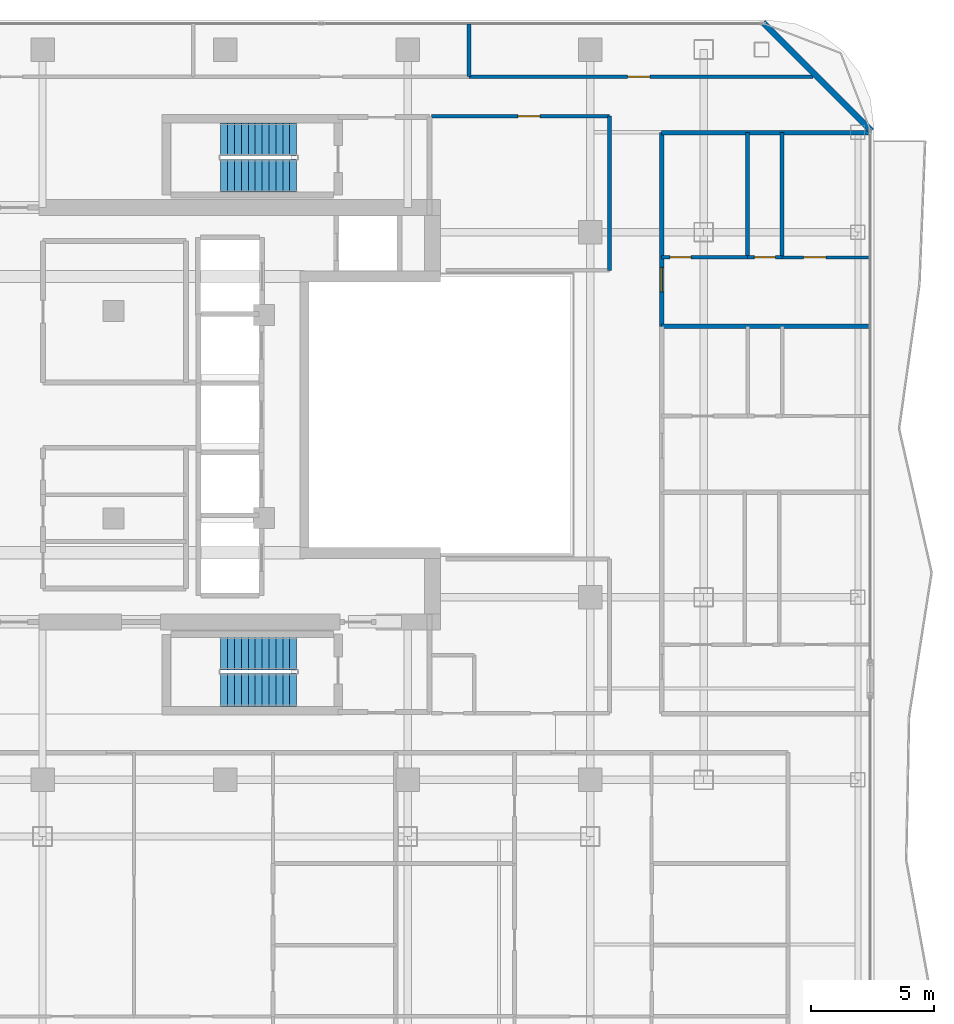
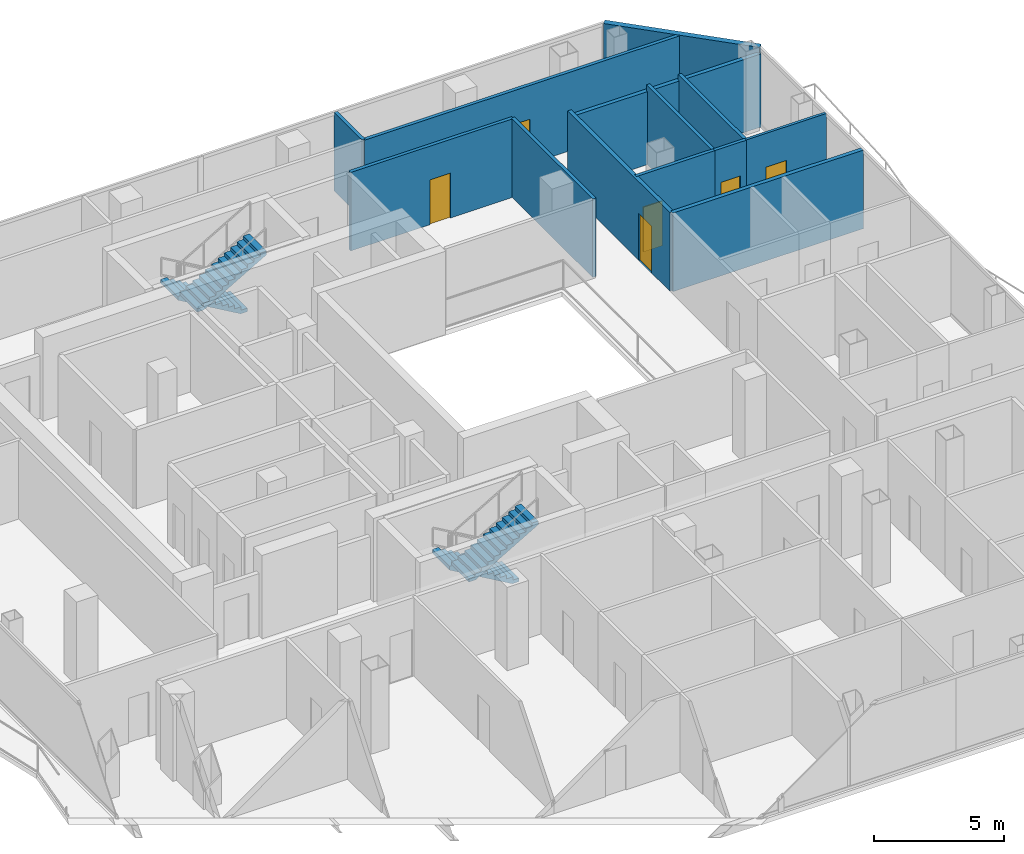
# One storey, part 24 of 27: 13 walls, 6 doors, 4 stair flights, 6 openings, 2 elements without a shape of their own.
"""IFC4 building model written with IfcOpenShell, lengths in metres."""

from ifc_helpers import new_model, si_unit, direction, frame, frame_2d, origin, place, context, subcontext, project, spatial, polyline, rectangle, outline, extrude, material, layer, layer_set, type_object, element, fill, aggregate, save


model = new_model("IFC4")

# Units and contexts
model_context = context("Model", 3, precision=1e-05, world=origin(), true_north=direction((0.0, 1.0)))
body_context = subcontext(model_context, "Body", "Model", "MODEL_VIEW")
ifc_project = project(units=[si_unit("LENGTHUNIT", "METRE"), si_unit("AREAUNIT", "SQUARE_METRE"), si_unit("VOLUMEUNIT", "CUBIC_METRE"), si_unit("PLANEANGLEUNIT", "RADIAN"), si_unit("MASSUNIT", "GRAM", prefix="KILO")], contexts=[model_context])

# Site, building, storey
site_placement = place(None, origin())
site = spatial("IfcSite", under=ifc_project, at=site_placement, CompositionType="ELEMENT")
building_placement = place(site_placement, origin())
building = spatial("IfcBuilding", under=site, at=building_placement, Name="Khorvyn Point Tower", CompositionType="ELEMENT")
storey_placement = place(building_placement, frame((0.0, 0.0, 243.0)))
storey = spatial("IfcBuildingStorey", under=building, at=storey_placement, Name="L59", CompositionType="ELEMENT", Elevation=243.0)

# Wall, opening, door
ifc_material_1 = material(Name="Double acoustic gypsum on twin steel stud", Category="steel")
ifc_layer_1 = layer(ifc_material_1, 0.179931640625)
ifc_layer_set_1 = layer_set([ifc_layer_1], Name="Acoustic Double-Stud Apartment Demising Wall 180")
wall_type_1 = type_object("IfcWallType", Name="Acoustic Double-Stud Apartment Demising Wall 180", PredefinedType="PARTITIONING", material=ifc_layer_set_1)
wall_1_placement = place(storey_placement, frame((17.699951171875, 3.580078125, 0.0), z_axis=(0.0, 0.0, 1.0), x_axis=(0.0, 1.0, 0.0)))
wall_1 = element("IfcWall", 1, at=wall_1_placement, inside=storey, type_object=wall_type_1, Name="Wall", PredefinedType="PARTITIONING", context=body_context, shape_type="SweptSolid", body=[
    extrude(rectangle(XDim=7.849853515625, YDim=0.179931640625, at=frame_2d((3.9248046875, 0.0))), origin(), (0.0, 0.0, 1.0), 3.679931640625),
])
opening_1_placement = place(wall_1_placement, frame((1.3955078125, 0.0, 0.0)))
opening_1 = element("IfcOpeningElement", 2, at=opening_1_placement, cuts=wall_1, Name="Opening ID-AP60", PredefinedType="OPENING", context=body_context, shape_type="SweptSolid", body=[
    extrude(rectangle(XDim=1.0, YDim=2.199951171875, at=frame_2d((0.5, 1.10009765625))), frame((0.0, 0.099853515625, 0.0), z_axis=(0.0, -1.0, 0.0), x_axis=(1.0, 0.0, 0.0)), (0.0, 0.0, 1.0), 0.199951171875),
])
ifc_material_2 = material(Name="Engineered hardwood fire-rated leaf", Category="wood")
door_type_1 = type_object("IfcDoorType", Name="Acoustic Solid-Core Timber Apartment Entrance Door 1000x2200", OperationType="NOTDEFINED", PredefinedType="DOOR", material=ifc_material_2)
door_1_placement = place(opening_1_placement, origin())
door_1 = element("IfcDoor", 3, at=door_1_placement, inside=storey, type_object=door_type_1, Name="Door", OperationType="SINGLE_SWING_LEFT", OverallHeight=2.199951171875, OverallWidth=1.0, PredefinedType="DOOR", context=body_context, shape_type="SweptSolid", body=[
    extrude(rectangle(XDim=1.0, YDim=2.199951171875, at=frame_2d((0.5, 1.10009765625))), frame((0.0, 0.02490234375, 0.0), z_axis=(0.0, -1.0, 0.0), x_axis=(1.0, 0.0, 0.0)), (0.0, 0.0, 1.0), 0.050048828125),
])
fill(opening_1, door_1)

# Walls
wall_2_placement = place(storey_placement, frame((17.699951171875, 3.580078125, 0.0), z_axis=(0.0, 0.0, 1.0), x_axis=(1.0, 0.0, 0.0)))
element("IfcWall", 4, at=wall_2_placement, inside=storey, type_object=wall_type_1, Name="Wall", PredefinedType="PARTITIONING", context=body_context, shape_type="SweptSolid", body=[
    extrude(rectangle(XDim=8.429931640625, YDim=0.179931640625, at=frame_2d((4.21484375, 0.0))), origin(), (0.0, 0.0, 1.0), 3.679931640625),
])
wall_3_placement = place(storey_placement, frame((17.699951171875, 11.429931640625, 0.0), z_axis=(0.0, 0.0, 1.0), x_axis=(1.0, 0.0, 0.0)))
element("IfcWall", 5, at=wall_3_placement, inside=storey, type_object=wall_type_1, Name="Wall", PredefinedType="PARTITIONING", context=body_context, shape_type="SweptSolid", body=[
    extrude(rectangle(XDim=8.429931640625, YDim=0.179931640625, at=frame_2d((4.21484375, 0.0))), origin(), (0.0, 0.0, 1.0), 3.419921875),
])
ifc_material_3 = material(Name="Pale anodised aluminium rainscreen on steel stud", Category="steel")
ifc_layer_2 = layer(ifc_material_3, 0.239990234375)
ifc_layer_set_2 = layer_set([ifc_layer_2], Name="Anodised Aluminium Insulated Corner Spandrel Wall 240")
wall_type_2 = type_object("IfcWallType", Name="Anodised Aluminium Insulated Corner Spandrel Wall 240", PredefinedType="SOLIDWALL", material=ifc_layer_set_2)
wall_4_placement = place(storey_placement, frame((21.8076171875, 15.892333984375, 0.0), z_axis=(0.0, 0.0, 1.0), x_axis=(0.707106781187, -0.707106781187, 0.0)))
element("IfcWall", 6, at=wall_4_placement, inside=storey, type_object=wall_type_2, Name="L59 Rounded Corner Wall NE", PredefinedType="SOLIDWALL", context=body_context, shape_type="SweptSolid", body=[
    extrude(rectangle(XDim=6.200927734375, YDim=0.239990234375, at=frame_2d((3.1005859375, 0.0))), origin(), (0.0, 0.0, 1.0), 3.679931640625),
])

# Wall, opening, door
ifc_material_4 = material(Name="Gypsum plasterboard on steel stud", Category="steel")
ifc_layer_3 = layer(ifc_material_4, 0.1201171875)
ifc_layer_set_3 = layer_set([ifc_layer_3], Name="Gypsum Acoustic Stud Room Partition Wall 120")
wall_type_3 = type_object("IfcWallType", Name="Gypsum Acoustic Stud Room Partition Wall 120", PredefinedType="PARTITIONING", material=ifc_layer_set_3)
wall_5_placement = place(storey_placement, frame((22.577880859375, 6.3798828125, 0.0), z_axis=(0.0, 0.0, 1.0), x_axis=(1.0, 0.0, 0.0)))
wall_5 = element("IfcWall", 7, at=wall_5_placement, inside=storey, type_object=wall_type_3, Name="Wall", PredefinedType="PARTITIONING", context=body_context, shape_type="SweptSolid", body=[
    extrude(rectangle(XDim=3.552001953125, YDim=0.1201171875, at=frame_2d((1.77587890625, 0.0))), origin(), (0.0, 0.0, 1.0), 3.679931640625),
])
opening_2_placement = place(wall_5_placement, frame((0.87744140625, 0.0, 0.0)))
opening_2 = element("IfcOpeningElement", 8, at=opening_2_placement, cuts=wall_5, Name="Opening ID-RM90", PredefinedType="OPENING", context=body_context, shape_type="SweptSolid", body=[
    extrude(rectangle(XDim=0.89990234375, YDim=2.10009765625, at=frame_2d((0.449951171875, 1.050048828125))), frame((0.0, 0.070068359375, 0.0), z_axis=(0.0, -1.0, 0.0), x_axis=(1.0, 0.0, 0.0)), (0.0, 0.0, 1.0), 0.14013671875),
])
ifc_material_5 = material(Name="Engineered oak veneer timber", Category="wood")
door_type_2 = type_object("IfcDoorType", Name="Flush Engineered Timber Room Door 900x2100", OperationType="NOTDEFINED", PredefinedType="DOOR", material=ifc_material_5)
door_2_placement = place(opening_2_placement, origin())
door_2 = element("IfcDoor", 9, at=door_2_placement, inside=storey, type_object=door_type_2, Name="Door", OperationType="SINGLE_SWING_RIGHT", OverallHeight=2.10009765625, OverallWidth=0.89990234375, PredefinedType="DOOR", context=body_context, shape_type="SweptSolid", body=[
    extrude(rectangle(XDim=0.89990234375, YDim=2.10009765625, at=frame_2d((0.449951171875, 1.050048828125))), frame((0.0, 0.02490234375, 0.0), z_axis=(0.0, -1.0, 0.0), x_axis=(1.0, 0.0, 0.0)), (0.0, 0.0, 1.0), 0.050048828125),
])
fill(opening_2, door_2)

ifc_material_6 = material(Name="Moisture-resistant gypsum and cement board", Category="gypsum")
ifc_layer_4 = layer(ifc_material_6, 0.14990234375)
ifc_layer_set_4 = layer_set([ifc_layer_4], Name="Moisture-Resistant Wet-Room Partition Wall 150")
wall_type_4 = type_object("IfcWallType", Name="Moisture-Resistant Wet-Room Partition Wall 150", PredefinedType="PARTITIONING", material=ifc_layer_set_4)
wall_6_placement = place(storey_placement, frame((8.360107421875, 12.10009765625, 0.0), z_axis=(0.0, 0.0, 1.0), x_axis=(1.0, 0.0, 0.0)))
wall_6 = element("IfcWall", 10, at=wall_6_placement, inside=storey, type_object=wall_type_4, Name="Wall", PredefinedType="PARTITIONING", context=body_context, shape_type="SweptSolid", body=[
    extrude(rectangle(XDim=7.219970703125, YDim=0.14990234375, at=frame_2d((3.60986328125, 0.0))), origin(), (0.0, 0.0, 1.0), 3.679931640625),
])
opening_3_placement = place(wall_6_placement, frame((3.512939453125, 0.0, 0.0)))
opening_3 = element("IfcOpeningElement", 11, at=opening_3_placement, cuts=wall_6, Name="Opening ID-RM90", PredefinedType="OPENING", context=body_context, shape_type="SweptSolid", body=[
    extrude(rectangle(XDim=0.89990234375, YDim=2.10009765625, at=frame_2d((0.449951171875, 1.050048828125))), frame((0.0, 0.0849609375, 0.0), z_axis=(0.0, -1.0, 0.0), x_axis=(1.0, 0.0, 0.0)), (0.0, 0.0, 1.0), 0.169921875),
])
door_3_placement = place(opening_3_placement, origin())
door_3 = element("IfcDoor", 12, at=door_3_placement, inside=storey, type_object=door_type_2, Name="Door", OperationType="SINGLE_SWING_LEFT", OverallHeight=2.10009765625, OverallWidth=0.89990234375, PredefinedType="DOOR", context=body_context, shape_type="SweptSolid", body=[
    extrude(rectangle(XDim=0.89990234375, YDim=2.10009765625, at=frame_2d((0.449951171875, 1.050048828125))), frame((0.0, 0.02490234375, 0.0), z_axis=(0.0, -1.0, 0.0), x_axis=(1.0, 0.0, 0.0)), (0.0, 0.0, 1.0), 0.050048828125),
])
fill(opening_3, door_3)

wall_7_placement = place(storey_placement, frame((9.89111328125, 13.699951171875, 0.0), z_axis=(0.0, 0.0, 1.0), x_axis=(1.0, 0.0, 0.0)))
wall_7 = element("IfcWall", 13, at=wall_7_placement, inside=storey, type_object=wall_type_4, Name="Wall", PredefinedType="PARTITIONING", context=body_context, shape_type="SweptSolid", body=[
    extrude(rectangle(XDim=13.93896484375, YDim=0.14990234375, at=frame_2d((6.969482421875, 0.0))), origin(), (0.0, 0.0, 1.0), 3.679931640625),
])
opening_4_placement = place(wall_7_placement, frame((6.429931640625, 0.0, 0.0)))
opening_4 = element("IfcOpeningElement", 14, at=opening_4_placement, cuts=wall_7, Name="Opening ID-RM90", PredefinedType="OPENING", context=body_context, shape_type="SweptSolid", body=[
    extrude(rectangle(XDim=0.89990234375, YDim=2.10009765625, at=frame_2d((0.449951171875, 1.050048828125))), frame((0.0, 0.0849609375, 0.0), z_axis=(0.0, -1.0, 0.0), x_axis=(1.0, 0.0, 0.0)), (0.0, 0.0, 1.0), 0.169921875),
])
door_4_placement = place(opening_4_placement, origin())
door_4 = element("IfcDoor", 15, at=door_4_placement, inside=storey, type_object=door_type_2, Name="Door", OperationType="SINGLE_SWING_RIGHT", OverallHeight=2.10009765625, OverallWidth=0.89990234375, PredefinedType="DOOR", context=body_context, shape_type="SweptSolid", body=[
    extrude(rectangle(XDim=0.89990234375, YDim=2.10009765625, at=frame_2d((0.449951171875, 1.050048828125))), frame((0.0, 0.02490234375, 0.0), z_axis=(0.0, -1.0, 0.0), x_axis=(1.0, 0.0, 0.0)), (0.0, 0.0, 1.0), 0.050048828125),
])
fill(opening_4, door_4)

wall_8_placement = place(storey_placement, frame((17.699951171875, 6.3798828125, 0.0), z_axis=(0.0, 0.0, 1.0), x_axis=(1.0, 0.0, 0.0)))
wall_8 = element("IfcWall", 16, at=wall_8_placement, inside=storey, type_object=wall_type_4, Name="Wall", PredefinedType="PARTITIONING", context=body_context, shape_type="SweptSolid", body=[
    extrude(rectangle(XDim=3.47802734375, YDim=0.14990234375, at=frame_2d((1.739013671875, 0.0))), origin(), (0.0, 0.0, 1.0), 3.679931640625),
])
opening_5_placement = place(wall_8_placement, frame((0.33740234375, 0.0, 0.0)))
opening_5 = element("IfcOpeningElement", 17, at=opening_5_placement, cuts=wall_8, Name="Opening ID-WC85", PredefinedType="OPENING", context=body_context, shape_type="SweptSolid", body=[
    extrude(rectangle(XDim=0.85009765625, YDim=2.10009765625, at=frame_2d((0.425048828125, 1.050048828125))), frame((0.0, 0.0849609375, 0.0), z_axis=(0.0, -1.0, 0.0), x_axis=(1.0, 0.0, 0.0)), (0.0, 0.0, 1.0), 0.169921875),
])
ifc_material_7 = material(Name="High-pressure laminate on moisture-resistant core", Category="wood")
door_type_3 = type_object("IfcDoorType", Name="Moisture-Resistant Accessible Washroom Door 850x2100", OperationType="NOTDEFINED", PredefinedType="DOOR", material=ifc_material_7)
door_5_placement = place(opening_5_placement, origin())
door_5 = element("IfcDoor", 18, at=door_5_placement, inside=storey, type_object=door_type_3, Name="Door", OperationType="SINGLE_SWING_RIGHT", OverallHeight=2.10009765625, OverallWidth=0.85009765625, PredefinedType="DOOR", context=body_context, shape_type="SweptSolid", body=[
    extrude(rectangle(XDim=0.85009765625, YDim=2.10009765625, at=frame_2d((0.425048828125, 1.050048828125))), frame((0.0, 0.02490234375, 0.0), z_axis=(0.0, -1.0, 0.0), x_axis=(1.0, 0.0, 0.0)), (0.0, 0.0, 1.0), 0.050048828125),
])
fill(opening_5, door_5)

wall_9_placement = place(storey_placement, frame((21.177978515625, 6.3798828125, 0.0), z_axis=(0.0, 0.0, 1.0), x_axis=(1.0, 0.0, 0.0)))
wall_9 = element("IfcWall", 19, at=wall_9_placement, inside=storey, type_object=wall_type_4, Name="Wall", PredefinedType="PARTITIONING", context=body_context, shape_type="SweptSolid", body=[
    extrude(rectangle(XDim=1.39990234375, YDim=0.14990234375, at=frame_2d((0.699951171875, 0.0))), origin(), (0.0, 0.0, 1.0), 3.679931640625),
])
opening_6_placement = place(wall_9_placement, frame((0.27490234375, 0.0, 0.0)))
opening_6 = element("IfcOpeningElement", 20, at=opening_6_placement, cuts=wall_9, Name="Opening ID-WC85", PredefinedType="OPENING", context=body_context, shape_type="SweptSolid", body=[
    extrude(rectangle(XDim=0.85009765625, YDim=2.10009765625, at=frame_2d((0.425048828125, 1.050048828125))), frame((0.0, 0.0849609375, 0.0), z_axis=(0.0, -1.0, 0.0), x_axis=(1.0, 0.0, 0.0)), (0.0, 0.0, 1.0), 0.169921875),
])
door_6_placement = place(opening_6_placement, origin())
door_6 = element("IfcDoor", 21, at=door_6_placement, inside=storey, type_object=door_type_3, Name="Door", OperationType="SINGLE_SWING_LEFT", OverallHeight=2.10009765625, OverallWidth=0.85009765625, PredefinedType="DOOR", context=body_context, shape_type="SweptSolid", body=[
    extrude(rectangle(XDim=0.85009765625, YDim=2.10009765625, at=frame_2d((0.425048828125, 1.050048828125))), frame((0.0, 0.02490234375, 0.0), z_axis=(0.0, -1.0, 0.0), x_axis=(1.0, 0.0, 0.0)), (0.0, 0.0, 1.0), 0.050048828125),
])
fill(opening_6, door_6)

# Walls
wall_10_placement = place(storey_placement, frame((15.580078125, 5.85009765625, 0.0), z_axis=(0.0, 0.0, 1.0), x_axis=(0.0, 1.0, 0.0)))
element("IfcWall", 22, at=wall_10_placement, inside=storey, type_object=wall_type_4, Name="Wall", PredefinedType="PARTITIONING", context=body_context, shape_type="SweptSolid", body=[
    extrude(rectangle(XDim=6.25, YDim=0.14990234375, at=frame_2d((3.125, 0.0))), origin(), (0.0, 0.0, 1.0), 3.679931640625),
])
wall_11_placement = place(storey_placement, frame((9.89111328125, 13.699951171875, 0.0), z_axis=(0.0, 0.0, 1.0), x_axis=(0.0, 1.0, 0.0)))
element("IfcWall", 23, at=wall_11_placement, inside=storey, type_object=wall_type_4, Name="Wall", PredefinedType="PARTITIONING", context=body_context, shape_type="SweptSolid", body=[
    extrude(rectangle(XDim=2.130126953125, YDim=0.14990234375, at=frame_2d((1.06494140625, 0.0))), origin(), (0.0, 0.0, 1.0), 3.679931640625),
])
for number, where, z_axis, x_axis, name in (
    (24, (21.177978515625, 6.3798828125, 0.0), (0.0, 0.0, 1.0), (0.0, 1.0, 0.0), "Wall"),
    (25, (22.577880859375, 6.3798828125, 0.0), (0.0, 0.0, 1.0), (0.0, 1.0, 0.0), "Wall"),
):
    element("IfcWall", number, at=place(storey_placement, frame(where, z_axis=z_axis, x_axis=x_axis)), inside=storey, type_object=wall_type_4, Name=name, PredefinedType="PARTITIONING", context=body_context, shape_type="SweptSolid", body=[
        extrude(rectangle(XDim=5.050048828125, YDim=0.14990234375, at=frame_2d((2.52490234375, 0.0))), origin(), (0.0, 0.0, 1.0), 3.679931640625),
    ])

# Stair, stair flights
ifc_material_8 = material(Name="Concrete C40/50", Category="concrete")
stair_type = type_object("IfcStairType", Name="Tower Concrete C40/50 Dogleg Exit Stair", PredefinedType="HALF_TURN_STAIR", material=ifc_material_8)
stair_1_placement = place(storey_placement, origin())
stair_1 = element("IfcStair", 26, at=stair_1_placement, inside=storey, type_object=stair_type, Name="L59 Tower Smokeproof Exit Stair South", PredefinedType="HALF_TURN_STAIR")
stair_flight_type = type_object("IfcStairFlightType", Name="Tower Concrete C40/50 Stair Flight", PredefinedType="STRAIGHT", material=ifc_material_8)
stair_flight_1_placement = place(storey_placement, frame((2.89990234375, -9.679931640625, 0.0), z_axis=(0.0, 0.0, 1.0), x_axis=(-1.0, 0.0, 0.0)))
stair_flight_1 = element("IfcStairFlight", 27, at=stair_flight_1_placement, type_object=stair_flight_type, Name="ST-01 flight 1", NumberOfRisers=12, NumberOfTreads=11, PredefinedType="STRAIGHT", RiserHeight=0.1625, TreadLength=0.28, context=body_context, shape_type="SweptSolid", body=[
    extrude(outline(polyline([(0.0, 0.0), (0.0, 0.16259765625), (0.280029296875, 0.16259765625), (0.280029296875, 0.324951171875), (0.56005859375, 0.324951171875), (0.56005859375, 0.487548828125), (0.840087890625, 0.487548828125), (0.840087890625, 0.64990234375), (1.1201171875, 0.64990234375), (1.1201171875, 0.8125), (1.39990234375, 0.8125), (1.39990234375, 0.97509765625), (1.679931640625, 0.97509765625), (1.679931640625, 1.137451171875), (1.9599609375, 1.137451171875), (1.9599609375, 1.300048828125), (2.239990234375, 1.300048828125), (2.239990234375, 1.46240234375), (2.52001953125, 1.46240234375), (2.52001953125, 1.625), (2.800048828125, 1.625), (2.800048828125, 1.78759765625), (3.080078125, 1.78759765625), (3.080078125, 1.949951171875), (3.080078125, 1.6142578125), (0.298583984375, 0.0), (0.0, 0.0)])), frame((0.0, 0.66015625, 0.0), z_axis=(0.0, -1.0, 0.0), x_axis=(1.0, 0.0, 0.0)), (0.0, 0.0, 1.0), 1.320068359375),
])
stair_flight_2_placement = place(storey_placement, frame((-0.179931640625, -11.159912109375, 1.949951171875), z_axis=(0.0, 0.0, 1.0), x_axis=(1.0, 0.0, 0.0)))
stair_flight_2 = element("IfcStairFlight", 28, at=stair_flight_2_placement, type_object=stair_flight_type, Name="ST-01 flight 2", NumberOfRisers=12, NumberOfTreads=11, PredefinedType="STRAIGHT", RiserHeight=0.1625, TreadLength=0.28, context=body_context, shape_type="SweptSolid", body=[
    extrude(outline(polyline([(0.0, 0.0), (0.0, 0.16259765625), (0.280029296875, 0.16259765625), (0.280029296875, 0.324951171875), (0.56005859375, 0.324951171875), (0.56005859375, 0.487548828125), (0.840087890625, 0.487548828125), (0.840087890625, 0.64990234375), (1.1201171875, 0.64990234375), (1.1201171875, 0.8125), (1.39990234375, 0.8125), (1.39990234375, 0.97509765625), (1.679931640625, 0.97509765625), (1.679931640625, 1.137451171875), (1.9599609375, 1.137451171875), (1.9599609375, 1.300048828125), (2.239990234375, 1.300048828125), (2.239990234375, 1.46240234375), (2.52001953125, 1.46240234375), (2.52001953125, 1.625), (2.800048828125, 1.625), (2.800048828125, 1.78759765625), (3.080078125, 1.78759765625), (3.080078125, 1.949951171875), (3.080078125, 1.6142578125), (0.298583984375, 0.0), (0.0, 0.0)])), frame((0.0, 0.66015625, 0.0), z_axis=(0.0, -1.0, 0.0), x_axis=(1.0, 0.0, 0.0)), (0.0, 0.0, 1.0), 1.320068359375),
])
aggregate(stair_1, [stair_flight_1, stair_flight_2])

stair_2_placement = place(storey_placement, origin())
stair_2 = element("IfcStair", 29, at=stair_2_placement, inside=storey, type_object=stair_type, Name="L59 Tower Smokeproof Exit Stair North", PredefinedType="HALF_TURN_STAIR")
stair_flight_3_placement = place(storey_placement, frame((2.89990234375, 11.159912109375, 0.0), z_axis=(0.0, 0.0, 1.0), x_axis=(-1.0, 0.0, 0.0)))
stair_flight_3 = element("IfcStairFlight", 30, at=stair_flight_3_placement, type_object=stair_flight_type, Name="ST-02 flight 1", NumberOfRisers=12, NumberOfTreads=11, PredefinedType="STRAIGHT", RiserHeight=0.1625, TreadLength=0.28, context=body_context, shape_type="SweptSolid", body=[
    extrude(outline(polyline([(0.0, 0.0), (0.0, 0.16259765625), (0.280029296875, 0.16259765625), (0.280029296875, 0.324951171875), (0.56005859375, 0.324951171875), (0.56005859375, 0.487548828125), (0.840087890625, 0.487548828125), (0.840087890625, 0.64990234375), (1.1201171875, 0.64990234375), (1.1201171875, 0.8125), (1.39990234375, 0.8125), (1.39990234375, 0.97509765625), (1.679931640625, 0.97509765625), (1.679931640625, 1.137451171875), (1.9599609375, 1.137451171875), (1.9599609375, 1.300048828125), (2.239990234375, 1.300048828125), (2.239990234375, 1.46240234375), (2.52001953125, 1.46240234375), (2.52001953125, 1.625), (2.800048828125, 1.625), (2.800048828125, 1.78759765625), (3.080078125, 1.78759765625), (3.080078125, 1.949951171875), (3.080078125, 1.6142578125), (0.298583984375, 0.0), (0.0, 0.0)])), frame((0.0, 0.66015625, 0.0), z_axis=(0.0, -1.0, 0.0), x_axis=(1.0, 0.0, 0.0)), (0.0, 0.0, 1.0), 1.320068359375),
])
stair_flight_4_placement = place(storey_placement, frame((-0.179931640625, 9.679931640625, 1.949951171875), z_axis=(0.0, 0.0, 1.0), x_axis=(1.0, 0.0, 0.0)))
stair_flight_4 = element("IfcStairFlight", 31, at=stair_flight_4_placement, type_object=stair_flight_type, Name="ST-02 flight 2", NumberOfRisers=12, NumberOfTreads=11, PredefinedType="STRAIGHT", RiserHeight=0.1625, TreadLength=0.28, context=body_context, shape_type="SweptSolid", body=[
    extrude(outline(polyline([(0.0, 0.0), (0.0, 0.16259765625), (0.280029296875, 0.16259765625), (0.280029296875, 0.324951171875), (0.56005859375, 0.324951171875), (0.56005859375, 0.487548828125), (0.840087890625, 0.487548828125), (0.840087890625, 0.64990234375), (1.1201171875, 0.64990234375), (1.1201171875, 0.8125), (1.39990234375, 0.8125), (1.39990234375, 0.97509765625), (1.679931640625, 0.97509765625), (1.679931640625, 1.137451171875), (1.9599609375, 1.137451171875), (1.9599609375, 1.300048828125), (2.239990234375, 1.300048828125), (2.239990234375, 1.46240234375), (2.52001953125, 1.46240234375), (2.52001953125, 1.625), (2.800048828125, 1.625), (2.800048828125, 1.78759765625), (3.080078125, 1.78759765625), (3.080078125, 1.949951171875), (3.080078125, 1.6142578125), (0.298583984375, 0.0), (0.0, 0.0)])), frame((0.0, 0.66015625, 0.0), z_axis=(0.0, -1.0, 0.0), x_axis=(1.0, 0.0, 0.0)), (0.0, 0.0, 1.0), 1.320068359375),
])
aggregate(stair_2, [stair_flight_3, stair_flight_4])

save(model, "model.ifc")
